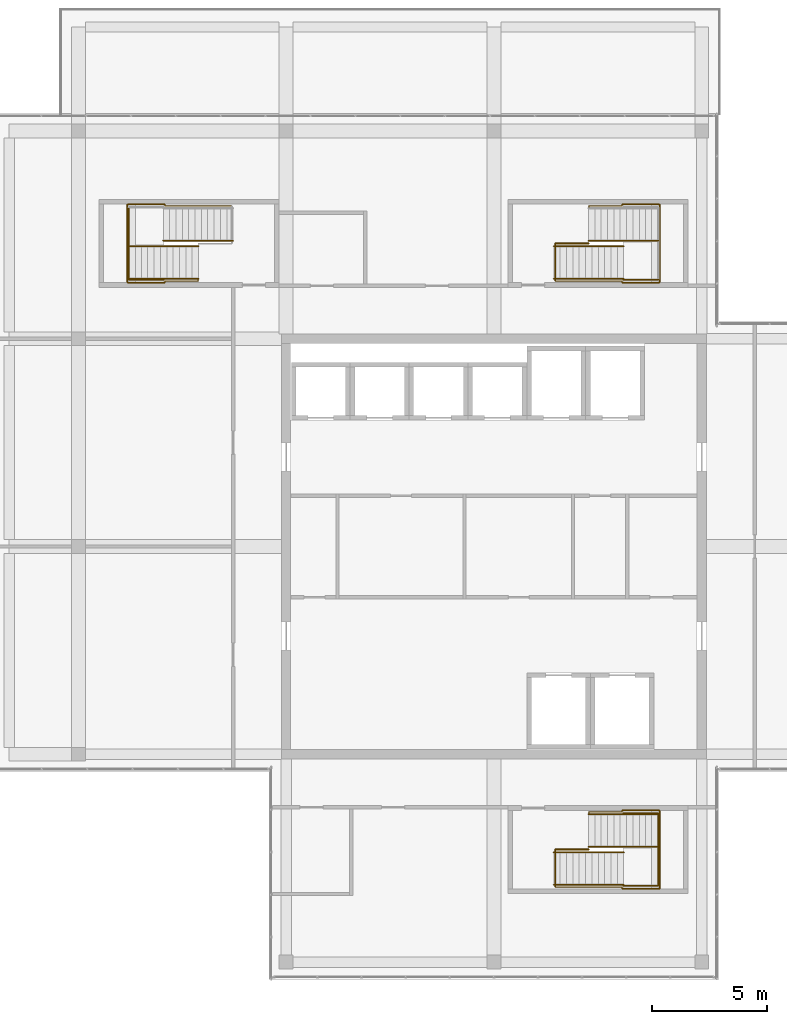
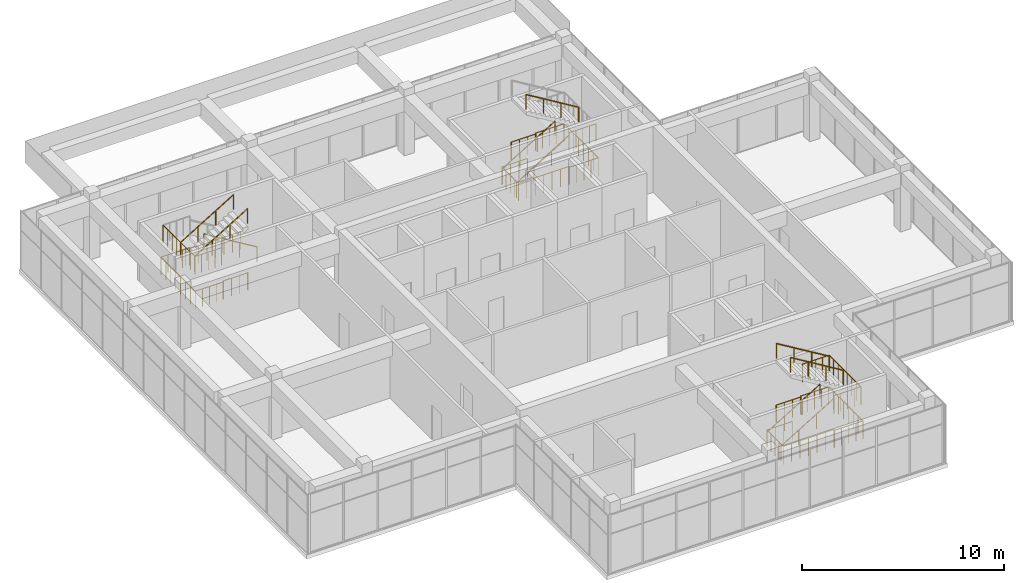
# One storey, part 34 of 35: 21 railings.
"""IFC4 building model written with IfcOpenShell, lengths in metres."""

from ifc_helpers import new_model, si_unit, direction, frame, origin, origin_2d, place, context, subcontext, project, spatial, circle, extrude, material, type_object, element, save


model = new_model("IFC4")

# Units and contexts
model_context = context("Model", 3, precision=1e-05, world=origin(), true_north=direction((0.0, 1.0)))
body_context = subcontext(model_context, "Body", "Model", "MODEL_VIEW")
ifc_project = project(units=[si_unit("LENGTHUNIT", "METRE"), si_unit("AREAUNIT", "SQUARE_METRE"), si_unit("VOLUMEUNIT", "CUBIC_METRE"), si_unit("PLANEANGLEUNIT", "RADIAN"), si_unit("MASSUNIT", "GRAM", prefix="KILO")], contexts=[model_context])

# Site, building, storey
site_placement = place(None, origin())
site = spatial("IfcSite", under=ifc_project, at=site_placement, CompositionType="ELEMENT")
building_placement = place(site_placement, origin())
building = spatial("IfcBuilding", under=site, at=building_placement, Name="Tuart Plaza Theatre", CompositionType="ELEMENT")
storey_placement = place(building_placement, frame((0.0, 0.0, 49.5)))
storey = spatial("IfcBuildingStorey", under=building, at=storey_placement, Name="L12", CompositionType="ELEMENT", Elevation=49.5)

# Railings
ifc_material_1 = material(Name="Steel Grade C350L0", Category="steel")
railing_type_1 = type_object("IfcRailingType", Name="RAILING Guard 1100", PredefinedType="GUARDRAIL", material=ifc_material_1)
railing_1_placement = place(storey_placement, frame((134.655029296875, 60.875, 0.0)))
element("IfcRailing", 1, at=railing_1_placement, inside=storey, type_object=railing_type_1, Name="GR254", PredefinedType="GUARDRAIL", context=body_context, shape_type="SweptSolid", body=[
    extrude(circle(Radius=0.02490234375, at=origin_2d()), frame((0.0, 0.0, 1.0751953125), z_axis=(1.0, 0.0, 0.0), x_axis=(0.0, 1.0, 0.0)), (0.0, 0.0, 1.0), 1.455078125),
    extrude(circle(Radius=0.02001953125, at=origin_2d()), origin(), (0.0, 0.0, 1.0), 1.050048828125),
    extrude(circle(Radius=0.02001953125, at=origin_2d()), frame((0.485107421875, 0.0, 0.0)), (0.0, 0.0, 1.0), 1.050048828125),
    extrude(circle(Radius=0.02001953125, at=origin_2d()), frame((0.969970703125, 0.0, 0.0)), (0.0, 0.0, 1.0), 1.050048828125),
    extrude(circle(Radius=0.02001953125, at=origin_2d()), frame((1.455078125, 0.0, 0.0)), (0.0, 0.0, 1.0), 1.050048828125),
])
railing_2_placement = place(storey_placement, frame((136.114990234375, 62.455078125, 0.0)))
element("IfcRailing", 2, at=railing_2_placement, inside=storey, type_object=railing_type_1, Name="GR255", PredefinedType="GUARDRAIL", context=body_context, shape_type="SweptSolid", body=[
    extrude(circle(Radius=0.02490234375, at=origin_2d()), frame((0.0, 0.0, 1.0751953125), z_axis=(0.0, 1.0, 0.0), x_axis=(-1.0, 0.0, 0.0)), (0.0, 0.0, 1.0), 0.044921875),
    extrude(circle(Radius=0.02490234375, at=origin_2d()), frame((0.0, 0.044921875, 1.0751953125), z_axis=(1.0, 0.0, 0.0), x_axis=(0.0, 1.0, 0.0)), (0.0, 0.0, 1.0), 1.43505859375),
    extrude(circle(Radius=0.02490234375, at=origin_2d()), frame((1.43505859375, 0.044921875, 1.0751953125), z_axis=(0.0, 1.0, 0.0), x_axis=(-1.0, 0.0, 0.0)), (0.0, 0.0, 1.0), 0.074951171875),
    extrude(circle(Radius=0.02490234375, at=origin_2d()), frame((1.43505859375, 0.119873046875, 1.0751953125), z_axis=(1.0, 0.0, 0.0), x_axis=(0.0, 1.0, 0.0)), (0.0, 0.0, 1.0), 1.6298828125),
    extrude(circle(Radius=0.02490234375, at=origin_2d()), frame((3.06494140625, 0.119873046875, 1.0751953125), z_axis=(0.0, -1.0, 0.0), x_axis=(1.0, 0.0, 0.0)), (0.0, 0.0, 1.0), 3.39990234375),
    extrude(circle(Radius=0.02490234375, at=origin_2d()), frame((3.06494140625, -3.280029296875, 1.0751953125), z_axis=(-1.0, 0.0, 0.0), x_axis=(0.0, -1.0, 0.0)), (0.0, 0.0, 1.0), 1.6298828125),
    extrude(circle(Radius=0.02490234375, at=origin_2d()), frame((1.43505859375, -3.280029296875, 1.0751953125), z_axis=(0.0, 1.0, 0.0), x_axis=(-1.0, 0.0, 0.0)), (0.0, 0.0, 1.0), 0.074951171875),
    extrude(circle(Radius=0.02490234375, at=origin_2d()), frame((1.43505859375, -3.205078125, 1.0751953125), z_axis=(-1.0, 0.0, 0.0), x_axis=(0.0, -1.0, 0.0)), (0.0, 0.0, 1.0), 2.89501953125),
    extrude(circle(Radius=0.02490234375, at=origin_2d()), frame((-1.4599609375, -3.205078125, 1.0751953125), z_axis=(0.0, 1.0, 0.0), x_axis=(-1.0, 0.0, 0.0)), (0.0, 0.0, 1.0), 1.625),
    extrude(circle(Radius=0.02001953125, at=origin_2d()), origin(), (0.0, 0.0, 1.0), 1.050048828125),
    extrude(circle(Radius=0.02001953125, at=origin_2d()), frame((0.0, 0.044921875, 0.0)), (0.0, 0.0, 1.0), 1.050048828125),
    extrude(circle(Radius=0.02001953125, at=origin_2d()), frame((0.478271484375, 0.044921875, 0.0)), (0.0, 0.0, 1.0), 1.050048828125),
    extrude(circle(Radius=0.02001953125, at=origin_2d()), frame((0.956787109375, 0.044921875, 0.0)), (0.0, 0.0, 1.0), 1.050048828125),
    extrude(circle(Radius=0.02001953125, at=origin_2d()), frame((1.43505859375, 0.044921875, 0.0)), (0.0, 0.0, 1.0), 1.050048828125),
    extrude(circle(Radius=0.02001953125, at=origin_2d()), frame((1.43505859375, 0.119873046875, 0.0)), (0.0, 0.0, 1.0), 1.050048828125),
    extrude(circle(Radius=0.02001953125, at=origin_2d()), frame((1.842529296875, 0.119873046875, 0.0)), (0.0, 0.0, 1.0), 1.050048828125),
    extrude(circle(Radius=0.02001953125, at=origin_2d()), frame((2.25, 0.119873046875, 0.0)), (0.0, 0.0, 1.0), 1.050048828125),
    extrude(circle(Radius=0.02001953125, at=origin_2d()), frame((2.657470703125, 0.119873046875, 0.0)), (0.0, 0.0, 1.0), 1.050048828125),
    extrude(circle(Radius=0.02001953125, at=origin_2d()), frame((3.06494140625, 0.119873046875, 0.0)), (0.0, 0.0, 1.0), 1.050048828125),
    extrude(circle(Radius=0.02001953125, at=origin_2d()), frame((3.06494140625, -0.36572265625, 0.0)), (0.0, 0.0, 1.0), 1.050048828125),
    extrude(circle(Radius=0.02001953125, at=origin_2d()), frame((3.06494140625, -0.8515625, 0.0)), (0.0, 0.0, 1.0), 1.050048828125),
    extrude(circle(Radius=0.02001953125, at=origin_2d()), frame((3.06494140625, -1.337158203125, 0.0)), (0.0, 0.0, 1.0), 1.050048828125),
    extrude(circle(Radius=0.02001953125, at=origin_2d()), frame((3.06494140625, -1.822998046875, 0.0)), (0.0, 0.0, 1.0), 1.050048828125),
    extrude(circle(Radius=0.02001953125, at=origin_2d()), frame((3.06494140625, -2.30859375, 0.0)), (0.0, 0.0, 1.0), 1.050048828125),
    extrude(circle(Radius=0.02001953125, at=origin_2d()), frame((3.06494140625, -2.79443359375, 0.0)), (0.0, 0.0, 1.0), 1.050048828125),
    extrude(circle(Radius=0.02001953125, at=origin_2d()), frame((3.06494140625, -3.280029296875, 0.0)), (0.0, 0.0, 1.0), 1.050048828125),
    extrude(circle(Radius=0.02001953125, at=origin_2d()), frame((2.657470703125, -3.280029296875, 0.0)), (0.0, 0.0, 1.0), 1.050048828125),
    extrude(circle(Radius=0.02001953125, at=origin_2d()), frame((2.25, -3.280029296875, 0.0)), (0.0, 0.0, 1.0), 1.050048828125),
    extrude(circle(Radius=0.02001953125, at=origin_2d()), frame((1.842529296875, -3.280029296875, 0.0)), (0.0, 0.0, 1.0), 1.050048828125),
    extrude(circle(Radius=0.02001953125, at=origin_2d()), frame((1.43505859375, -3.280029296875, 0.0)), (0.0, 0.0, 1.0), 1.050048828125),
    extrude(circle(Radius=0.02001953125, at=origin_2d()), frame((1.43505859375, -3.205078125, 0.0)), (0.0, 0.0, 1.0), 1.050048828125),
    extrude(circle(Radius=0.02001953125, at=origin_2d()), frame((0.95263671875, -3.205078125, 0.0)), (0.0, 0.0, 1.0), 1.050048828125),
    extrude(circle(Radius=0.02001953125, at=origin_2d()), frame((0.469970703125, -3.205078125, 0.0)), (0.0, 0.0, 1.0), 1.050048828125),
    extrude(circle(Radius=0.02001953125, at=origin_2d()), frame((-0.012451171875, -3.205078125, 0.0)), (0.0, 0.0, 1.0), 1.050048828125),
    extrude(circle(Radius=0.02001953125, at=origin_2d()), frame((-0.494873046875, -3.205078125, 0.0)), (0.0, 0.0, 1.0), 1.050048828125),
    extrude(circle(Radius=0.02001953125, at=origin_2d()), frame((-0.9775390625, -3.205078125, 0.0)), (0.0, 0.0, 1.0), 1.050048828125),
    extrude(circle(Radius=0.02001953125, at=origin_2d()), frame((-1.4599609375, -3.205078125, 0.0)), (0.0, 0.0, 1.0), 1.050048828125),
    extrude(circle(Radius=0.02001953125, at=origin_2d()), frame((-1.4599609375, -2.798828125, 0.0)), (0.0, 0.0, 1.0), 1.050048828125),
    extrude(circle(Radius=0.02001953125, at=origin_2d()), frame((-1.4599609375, -2.392578125, 0.0)), (0.0, 0.0, 1.0), 1.050048828125),
    extrude(circle(Radius=0.02001953125, at=origin_2d()), frame((-1.4599609375, -1.986328125, 0.0)), (0.0, 0.0, 1.0), 1.050048828125),
    extrude(circle(Radius=0.02001953125, at=origin_2d()), frame((-1.4599609375, -1.580078125, 0.0)), (0.0, 0.0, 1.0), 1.050048828125),
])
railing_3_placement = place(storey_placement, frame((137.60009765625, 59.300048828125, 2.0)))
element("IfcRailing", 3, at=railing_3_placement, inside=storey, type_object=railing_type_1, Name="GR261", PredefinedType="GUARDRAIL", context=body_context, shape_type="SweptSolid", body=[
    extrude(circle(Radius=0.02490234375, at=origin_2d()), frame((0.0, 0.0, 1.0751953125), z_axis=(1.0, 0.0, 0.0), x_axis=(0.0, 1.0, 0.0)), (0.0, 0.0, 1.0), 1.52978515625),
    extrude(circle(Radius=0.02001953125, at=origin_2d()), origin(), (0.0, 0.0, 1.0), 1.050048828125),
    extrude(circle(Radius=0.02001953125, at=origin_2d()), frame((0.38232421875, 0.0, 0.0)), (0.0, 0.0, 1.0), 1.050048828125),
    extrude(circle(Radius=0.02001953125, at=origin_2d()), frame((0.764892578125, 0.0, 0.0)), (0.0, 0.0, 1.0), 1.050048828125),
    extrude(circle(Radius=0.02001953125, at=origin_2d()), frame((1.1474609375, 0.0, 0.0)), (0.0, 0.0, 1.0), 1.050048828125),
    extrude(circle(Radius=0.02001953125, at=origin_2d()), frame((1.52978515625, 0.0, 0.0)), (0.0, 0.0, 1.0), 1.050048828125),
])
railing_4_placement = place(storey_placement, frame((139.1298828125, 59.300048828125, 2.0)))
element("IfcRailing", 4, at=railing_4_placement, inside=storey, type_object=railing_type_1, Name="GR262", PredefinedType="GUARDRAIL", context=body_context, shape_type="SweptSolid", body=[
    extrude(circle(Radius=0.02490234375, at=origin_2d()), frame((0.0, 0.0, 1.0751953125), z_axis=(0.0, 1.0, 0.0), x_axis=(-1.0, 0.0, 0.0)), (0.0, 0.0, 1.0), 3.14990234375),
    extrude(circle(Radius=0.02001953125, at=origin_2d()), origin(), (0.0, 0.0, 1.0), 1.050048828125),
    extrude(circle(Radius=0.02001953125, at=origin_2d()), frame((0.0, 0.449951171875, 0.0)), (0.0, 0.0, 1.0), 1.050048828125),
    extrude(circle(Radius=0.02001953125, at=origin_2d()), frame((0.0, 0.89990234375, 0.0)), (0.0, 0.0, 1.0), 1.050048828125),
    extrude(circle(Radius=0.02001953125, at=origin_2d()), frame((0.0, 1.349853515625, 0.0)), (0.0, 0.0, 1.0), 1.050048828125),
    extrude(circle(Radius=0.02001953125, at=origin_2d()), frame((0.0, 1.800048828125, 0.0)), (0.0, 0.0, 1.0), 1.050048828125),
    extrude(circle(Radius=0.02001953125, at=origin_2d()), frame((0.0, 2.25, 0.0)), (0.0, 0.0, 1.0), 1.050048828125),
    extrude(circle(Radius=0.02001953125, at=origin_2d()), frame((0.0, 2.699951171875, 0.0)), (0.0, 0.0, 1.0), 1.050048828125),
    extrude(circle(Radius=0.02001953125, at=origin_2d()), frame((0.0, 3.14990234375, 0.0)), (0.0, 0.0, 1.0), 1.050048828125),
])
railing_5_placement = place(storey_placement, frame((139.1298828125, 62.449951171875, 2.0)))
element("IfcRailing", 5, at=railing_5_placement, inside=storey, type_object=railing_type_1, Name="GR263", PredefinedType="GUARDRAIL", context=body_context, shape_type="SweptSolid", body=[
    extrude(circle(Radius=0.02490234375, at=origin_2d()), frame((0.0, 0.0, 1.0751953125), z_axis=(-1.0, 0.0, 0.0), x_axis=(0.0, -1.0, 0.0)), (0.0, 0.0, 1.0), 1.52978515625),
    extrude(circle(Radius=0.02001953125, at=origin_2d()), origin(), (0.0, 0.0, 1.0), 1.050048828125),
    extrude(circle(Radius=0.02001953125, at=origin_2d()), frame((-0.38232421875, 0.0, 0.0)), (0.0, 0.0, 1.0), 1.050048828125),
    extrude(circle(Radius=0.02001953125, at=origin_2d()), frame((-0.764892578125, 0.0, 0.0)), (0.0, 0.0, 1.0), 1.050048828125),
    extrude(circle(Radius=0.02001953125, at=origin_2d()), frame((-1.1474609375, 0.0, 0.0)), (0.0, 0.0, 1.0), 1.050048828125),
    extrude(circle(Radius=0.02001953125, at=origin_2d()), frame((-1.52978515625, 0.0, 0.0)), (0.0, 0.0, 1.0), 1.050048828125),
])
railing_6_placement = place(storey_placement, frame((134.655029296875, 87.125, 0.0)))
element("IfcRailing", 6, at=railing_6_placement, inside=storey, type_object=railing_type_1, Name="GR333", PredefinedType="GUARDRAIL", context=body_context, shape_type="SweptSolid", body=[
    extrude(circle(Radius=0.02490234375, at=origin_2d()), frame((0.0, 0.0, 1.0751953125), z_axis=(1.0, 0.0, 0.0), x_axis=(0.0, 1.0, 0.0)), (0.0, 0.0, 1.0), 1.455078125),
    extrude(circle(Radius=0.02001953125, at=origin_2d()), origin(), (0.0, 0.0, 1.0), 1.050048828125),
    extrude(circle(Radius=0.02001953125, at=origin_2d()), frame((0.485107421875, 0.0, 0.0)), (0.0, 0.0, 1.0), 1.050048828125),
    extrude(circle(Radius=0.02001953125, at=origin_2d()), frame((0.969970703125, 0.0, 0.0)), (0.0, 0.0, 1.0), 1.050048828125),
    extrude(circle(Radius=0.02001953125, at=origin_2d()), frame((1.455078125, 0.0, 0.0)), (0.0, 0.0, 1.0), 1.050048828125),
])
railing_7_placement = place(storey_placement, frame((136.114990234375, 88.705078125, 0.0)))
element("IfcRailing", 7, at=railing_7_placement, inside=storey, type_object=railing_type_1, Name="GR334", PredefinedType="GUARDRAIL", context=body_context, shape_type="SweptSolid", body=[
    extrude(circle(Radius=0.02490234375, at=origin_2d()), frame((0.0, 0.0, 1.0751953125), z_axis=(0.0, 1.0, 0.0), x_axis=(-1.0, 0.0, 0.0)), (0.0, 0.0, 1.0), 0.044921875),
    extrude(circle(Radius=0.02490234375, at=origin_2d()), frame((0.0, 0.044921875, 1.0751953125), z_axis=(1.0, 0.0, 0.0), x_axis=(0.0, 1.0, 0.0)), (0.0, 0.0, 1.0), 1.43505859375),
    extrude(circle(Radius=0.02490234375, at=origin_2d()), frame((1.43505859375, 0.044921875, 1.0751953125), z_axis=(0.0, 1.0, 0.0), x_axis=(-1.0, 0.0, 0.0)), (0.0, 0.0, 1.0), 0.074951171875),
    extrude(circle(Radius=0.02490234375, at=origin_2d()), frame((1.43505859375, 0.119873046875, 1.0751953125), z_axis=(1.0, 0.0, 0.0), x_axis=(0.0, 1.0, 0.0)), (0.0, 0.0, 1.0), 1.6298828125),
    extrude(circle(Radius=0.02490234375, at=origin_2d()), frame((3.06494140625, 0.119873046875, 1.0751953125), z_axis=(0.0, -1.0, 0.0), x_axis=(1.0, 0.0, 0.0)), (0.0, 0.0, 1.0), 3.39990234375),
    extrude(circle(Radius=0.02490234375, at=origin_2d()), frame((3.06494140625, -3.280029296875, 1.0751953125), z_axis=(-1.0, 0.0, 0.0), x_axis=(0.0, -1.0, 0.0)), (0.0, 0.0, 1.0), 1.6298828125),
    extrude(circle(Radius=0.02490234375, at=origin_2d()), frame((1.43505859375, -3.280029296875, 1.0751953125), z_axis=(0.0, 1.0, 0.0), x_axis=(-1.0, 0.0, 0.0)), (0.0, 0.0, 1.0), 0.074951171875),
    extrude(circle(Radius=0.02490234375, at=origin_2d()), frame((1.43505859375, -3.205078125, 1.0751953125), z_axis=(-1.0, 0.0, 0.0), x_axis=(0.0, -1.0, 0.0)), (0.0, 0.0, 1.0), 2.89501953125),
    extrude(circle(Radius=0.02490234375, at=origin_2d()), frame((-1.4599609375, -3.205078125, 1.0751953125), z_axis=(0.0, 1.0, 0.0), x_axis=(-1.0, 0.0, 0.0)), (0.0, 0.0, 1.0), 1.625),
    extrude(circle(Radius=0.02001953125, at=origin_2d()), origin(), (0.0, 0.0, 1.0), 1.050048828125),
    extrude(circle(Radius=0.02001953125, at=origin_2d()), frame((0.0, 0.044921875, 0.0)), (0.0, 0.0, 1.0), 1.050048828125),
    extrude(circle(Radius=0.02001953125, at=origin_2d()), frame((0.478271484375, 0.044921875, 0.0)), (0.0, 0.0, 1.0), 1.050048828125),
    extrude(circle(Radius=0.02001953125, at=origin_2d()), frame((0.956787109375, 0.044921875, 0.0)), (0.0, 0.0, 1.0), 1.050048828125),
    extrude(circle(Radius=0.02001953125, at=origin_2d()), frame((1.43505859375, 0.044921875, 0.0)), (0.0, 0.0, 1.0), 1.050048828125),
    extrude(circle(Radius=0.02001953125, at=origin_2d()), frame((1.43505859375, 0.119873046875, 0.0)), (0.0, 0.0, 1.0), 1.050048828125),
    extrude(circle(Radius=0.02001953125, at=origin_2d()), frame((1.842529296875, 0.119873046875, 0.0)), (0.0, 0.0, 1.0), 1.050048828125),
    extrude(circle(Radius=0.02001953125, at=origin_2d()), frame((2.25, 0.119873046875, 0.0)), (0.0, 0.0, 1.0), 1.050048828125),
    extrude(circle(Radius=0.02001953125, at=origin_2d()), frame((2.657470703125, 0.119873046875, 0.0)), (0.0, 0.0, 1.0), 1.050048828125),
    extrude(circle(Radius=0.02001953125, at=origin_2d()), frame((3.06494140625, 0.119873046875, 0.0)), (0.0, 0.0, 1.0), 1.050048828125),
    extrude(circle(Radius=0.02001953125, at=origin_2d()), frame((3.06494140625, -0.36572265625, 0.0)), (0.0, 0.0, 1.0), 1.050048828125),
    extrude(circle(Radius=0.02001953125, at=origin_2d()), frame((3.06494140625, -0.8515625, 0.0)), (0.0, 0.0, 1.0), 1.050048828125),
    extrude(circle(Radius=0.02001953125, at=origin_2d()), frame((3.06494140625, -1.337158203125, 0.0)), (0.0, 0.0, 1.0), 1.050048828125),
    extrude(circle(Radius=0.02001953125, at=origin_2d()), frame((3.06494140625, -1.822998046875, 0.0)), (0.0, 0.0, 1.0), 1.050048828125),
    extrude(circle(Radius=0.02001953125, at=origin_2d()), frame((3.06494140625, -2.30859375, 0.0)), (0.0, 0.0, 1.0), 1.050048828125),
    extrude(circle(Radius=0.02001953125, at=origin_2d()), frame((3.06494140625, -2.79443359375, 0.0)), (0.0, 0.0, 1.0), 1.050048828125),
    extrude(circle(Radius=0.02001953125, at=origin_2d()), frame((3.06494140625, -3.280029296875, 0.0)), (0.0, 0.0, 1.0), 1.050048828125),
    extrude(circle(Radius=0.02001953125, at=origin_2d()), frame((2.657470703125, -3.280029296875, 0.0)), (0.0, 0.0, 1.0), 1.050048828125),
    extrude(circle(Radius=0.02001953125, at=origin_2d()), frame((2.25, -3.280029296875, 0.0)), (0.0, 0.0, 1.0), 1.050048828125),
    extrude(circle(Radius=0.02001953125, at=origin_2d()), frame((1.842529296875, -3.280029296875, 0.0)), (0.0, 0.0, 1.0), 1.050048828125),
    extrude(circle(Radius=0.02001953125, at=origin_2d()), frame((1.43505859375, -3.280029296875, 0.0)), (0.0, 0.0, 1.0), 1.050048828125),
    extrude(circle(Radius=0.02001953125, at=origin_2d()), frame((1.43505859375, -3.205078125, 0.0)), (0.0, 0.0, 1.0), 1.050048828125),
    extrude(circle(Radius=0.02001953125, at=origin_2d()), frame((0.95263671875, -3.205078125, 0.0)), (0.0, 0.0, 1.0), 1.050048828125),
    extrude(circle(Radius=0.02001953125, at=origin_2d()), frame((0.469970703125, -3.205078125, 0.0)), (0.0, 0.0, 1.0), 1.050048828125),
    extrude(circle(Radius=0.02001953125, at=origin_2d()), frame((-0.012451171875, -3.205078125, 0.0)), (0.0, 0.0, 1.0), 1.050048828125),
    extrude(circle(Radius=0.02001953125, at=origin_2d()), frame((-0.494873046875, -3.205078125, 0.0)), (0.0, 0.0, 1.0), 1.050048828125),
    extrude(circle(Radius=0.02001953125, at=origin_2d()), frame((-0.9775390625, -3.205078125, 0.0)), (0.0, 0.0, 1.0), 1.050048828125),
    extrude(circle(Radius=0.02001953125, at=origin_2d()), frame((-1.4599609375, -3.205078125, 0.0)), (0.0, 0.0, 1.0), 1.050048828125),
    extrude(circle(Radius=0.02001953125, at=origin_2d()), frame((-1.4599609375, -2.798828125, 0.0)), (0.0, 0.0, 1.0), 1.050048828125),
    extrude(circle(Radius=0.02001953125, at=origin_2d()), frame((-1.4599609375, -2.392578125, 0.0)), (0.0, 0.0, 1.0), 1.050048828125),
    extrude(circle(Radius=0.02001953125, at=origin_2d()), frame((-1.4599609375, -1.986328125, 0.0)), (0.0, 0.0, 1.0), 1.050048828125),
    extrude(circle(Radius=0.02001953125, at=origin_2d()), frame((-1.4599609375, -1.580078125, 0.0)), (0.0, 0.0, 1.0), 1.050048828125),
])
railing_8_placement = place(storey_placement, frame((137.60009765625, 85.550048828125, 2.0)))
element("IfcRailing", 8, at=railing_8_placement, inside=storey, type_object=railing_type_1, Name="GR340", PredefinedType="GUARDRAIL", context=body_context, shape_type="SweptSolid", body=[
    extrude(circle(Radius=0.02490234375, at=origin_2d()), frame((0.0, 0.0, 1.0751953125), z_axis=(1.0, 0.0, 0.0), x_axis=(0.0, 1.0, 0.0)), (0.0, 0.0, 1.0), 1.52978515625),
    extrude(circle(Radius=0.02001953125, at=origin_2d()), origin(), (0.0, 0.0, 1.0), 1.050048828125),
    extrude(circle(Radius=0.02001953125, at=origin_2d()), frame((0.38232421875, 0.0, 0.0)), (0.0, 0.0, 1.0), 1.050048828125),
    extrude(circle(Radius=0.02001953125, at=origin_2d()), frame((0.764892578125, 0.0, 0.0)), (0.0, 0.0, 1.0), 1.050048828125),
    extrude(circle(Radius=0.02001953125, at=origin_2d()), frame((1.1474609375, 0.0, 0.0)), (0.0, 0.0, 1.0), 1.050048828125),
    extrude(circle(Radius=0.02001953125, at=origin_2d()), frame((1.52978515625, 0.0, 0.0)), (0.0, 0.0, 1.0), 1.050048828125),
])
railing_9_placement = place(storey_placement, frame((119.18505859375, 85.544921875, 0.0)))
element("IfcRailing", 9, at=railing_9_placement, inside=storey, type_object=railing_type_1, Name="GR413", PredefinedType="GUARDRAIL", context=body_context, shape_type="SweptSolid", body=[
    extrude(circle(Radius=0.02490234375, at=origin_2d()), frame((0.0, 0.0, 1.0751953125), z_axis=(0.0, -1.0, 0.0), x_axis=(1.0, 0.0, 0.0)), (0.0, 0.0, 1.0), 0.044921875),
    extrude(circle(Radius=0.02490234375, at=origin_2d()), frame((0.0, -0.044921875, 1.0751953125), z_axis=(-1.0, 0.0, 0.0), x_axis=(0.0, -1.0, 0.0)), (0.0, 0.0, 1.0), 1.43505859375),
    extrude(circle(Radius=0.02490234375, at=origin_2d()), frame((-1.43505859375, -0.044921875, 1.0751953125), z_axis=(0.0, -1.0, 0.0), x_axis=(1.0, 0.0, 0.0)), (0.0, 0.0, 1.0), 0.074951171875),
    extrude(circle(Radius=0.02490234375, at=origin_2d()), frame((-1.43505859375, -0.119873046875, 1.0751953125), z_axis=(-1.0, 0.0, 0.0), x_axis=(0.0, -1.0, 0.0)), (0.0, 0.0, 1.0), 1.6298828125),
    extrude(circle(Radius=0.02490234375, at=origin_2d()), frame((-3.06494140625, -0.119873046875, 1.0751953125), z_axis=(0.0, 1.0, 0.0), x_axis=(-1.0, 0.0, 0.0)), (0.0, 0.0, 1.0), 3.39990234375),
    extrude(circle(Radius=0.02490234375, at=origin_2d()), frame((-3.06494140625, 3.280029296875, 1.0751953125), z_axis=(1.0, 0.0, 0.0), x_axis=(0.0, 1.0, 0.0)), (0.0, 0.0, 1.0), 1.6298828125),
    extrude(circle(Radius=0.02490234375, at=origin_2d()), frame((-1.43505859375, 3.280029296875, 1.0751953125), z_axis=(0.0, -1.0, 0.0), x_axis=(1.0, 0.0, 0.0)), (0.0, 0.0, 1.0), 0.074951171875),
    extrude(circle(Radius=0.02490234375, at=origin_2d()), frame((-1.43505859375, 3.205078125, 1.0751953125), z_axis=(1.0, 0.0, 0.0), x_axis=(0.0, 1.0, 0.0)), (0.0, 0.0, 1.0), 2.89501953125),
    extrude(circle(Radius=0.02001953125, at=origin_2d()), origin(), (0.0, 0.0, 1.0), 1.050048828125),
    extrude(circle(Radius=0.02001953125, at=origin_2d()), frame((0.0, -0.044921875, 0.0)), (0.0, 0.0, 1.0), 1.050048828125),
    extrude(circle(Radius=0.02001953125, at=origin_2d()), frame((-0.478271484375, -0.044921875, 0.0)), (0.0, 0.0, 1.0), 1.050048828125),
    extrude(circle(Radius=0.02001953125, at=origin_2d()), frame((-0.956787109375, -0.044921875, 0.0)), (0.0, 0.0, 1.0), 1.050048828125),
    extrude(circle(Radius=0.02001953125, at=origin_2d()), frame((-1.43505859375, -0.044921875, 0.0)), (0.0, 0.0, 1.0), 1.050048828125),
    extrude(circle(Radius=0.02001953125, at=origin_2d()), frame((-1.43505859375, -0.119873046875, 0.0)), (0.0, 0.0, 1.0), 1.050048828125),
    extrude(circle(Radius=0.02001953125, at=origin_2d()), frame((-1.842529296875, -0.119873046875, 0.0)), (0.0, 0.0, 1.0), 1.050048828125),
    extrude(circle(Radius=0.02001953125, at=origin_2d()), frame((-2.25, -0.119873046875, 0.0)), (0.0, 0.0, 1.0), 1.050048828125),
    extrude(circle(Radius=0.02001953125, at=origin_2d()), frame((-2.657470703125, -0.119873046875, 0.0)), (0.0, 0.0, 1.0), 1.050048828125),
    extrude(circle(Radius=0.02001953125, at=origin_2d()), frame((-3.06494140625, -0.119873046875, 0.0)), (0.0, 0.0, 1.0), 1.050048828125),
    extrude(circle(Radius=0.02001953125, at=origin_2d()), frame((-3.06494140625, 0.36572265625, 0.0)), (0.0, 0.0, 1.0), 1.050048828125),
    extrude(circle(Radius=0.02001953125, at=origin_2d()), frame((-3.06494140625, 0.8515625, 0.0)), (0.0, 0.0, 1.0), 1.050048828125),
    extrude(circle(Radius=0.02001953125, at=origin_2d()), frame((-3.06494140625, 1.337158203125, 0.0)), (0.0, 0.0, 1.0), 1.050048828125),
    extrude(circle(Radius=0.02001953125, at=origin_2d()), frame((-3.06494140625, 1.822998046875, 0.0)), (0.0, 0.0, 1.0), 1.050048828125),
    extrude(circle(Radius=0.02001953125, at=origin_2d()), frame((-3.06494140625, 2.30859375, 0.0)), (0.0, 0.0, 1.0), 1.050048828125),
    extrude(circle(Radius=0.02001953125, at=origin_2d()), frame((-3.06494140625, 2.79443359375, 0.0)), (0.0, 0.0, 1.0), 1.050048828125),
    extrude(circle(Radius=0.02001953125, at=origin_2d()), frame((-3.06494140625, 3.280029296875, 0.0)), (0.0, 0.0, 1.0), 1.050048828125),
    extrude(circle(Radius=0.02001953125, at=origin_2d()), frame((-2.657470703125, 3.280029296875, 0.0)), (0.0, 0.0, 1.0), 1.050048828125),
    extrude(circle(Radius=0.02001953125, at=origin_2d()), frame((-2.25, 3.280029296875, 0.0)), (0.0, 0.0, 1.0), 1.050048828125),
    extrude(circle(Radius=0.02001953125, at=origin_2d()), frame((-1.842529296875, 3.280029296875, 0.0)), (0.0, 0.0, 1.0), 1.050048828125),
    extrude(circle(Radius=0.02001953125, at=origin_2d()), frame((-1.43505859375, 3.280029296875, 0.0)), (0.0, 0.0, 1.0), 1.050048828125),
    extrude(circle(Radius=0.02001953125, at=origin_2d()), frame((-1.43505859375, 3.205078125, 0.0)), (0.0, 0.0, 1.0), 1.050048828125),
    extrude(circle(Radius=0.02001953125, at=origin_2d()), frame((-0.95263671875, 3.205078125, 0.0)), (0.0, 0.0, 1.0), 1.050048828125),
    extrude(circle(Radius=0.02001953125, at=origin_2d()), frame((-0.469970703125, 3.205078125, 0.0)), (0.0, 0.0, 1.0), 1.050048828125),
    extrude(circle(Radius=0.02001953125, at=origin_2d()), frame((0.012451171875, 3.205078125, 0.0)), (0.0, 0.0, 1.0), 1.050048828125),
    extrude(circle(Radius=0.02001953125, at=origin_2d()), frame((0.494873046875, 3.205078125, 0.0)), (0.0, 0.0, 1.0), 1.050048828125),
    extrude(circle(Radius=0.02001953125, at=origin_2d()), frame((0.9775390625, 3.205078125, 0.0)), (0.0, 0.0, 1.0), 1.050048828125),
    extrude(circle(Radius=0.02001953125, at=origin_2d()), frame((1.4599609375, 3.205078125, 0.0)), (0.0, 0.0, 1.0), 1.050048828125),
])
railing_10_placement = place(storey_placement, frame((116.169921875, 88.699951171875, 2.0)))
element("IfcRailing", 10, at=railing_10_placement, inside=storey, type_object=railing_type_1, Name="GR420", PredefinedType="GUARDRAIL", context=body_context, shape_type="SweptSolid", body=[
    extrude(circle(Radius=0.02490234375, at=origin_2d()), frame((0.0, 0.0, 1.0751953125), z_axis=(0.0, -1.0, 0.0), x_axis=(1.0, 0.0, 0.0)), (0.0, 0.0, 1.0), 3.14990234375),
    extrude(circle(Radius=0.02001953125, at=origin_2d()), origin(), (0.0, 0.0, 1.0), 1.050048828125),
    extrude(circle(Radius=0.02001953125, at=origin_2d()), frame((0.0, -0.449951171875, 0.0)), (0.0, 0.0, 1.0), 1.050048828125),
    extrude(circle(Radius=0.02001953125, at=origin_2d()), frame((0.0, -0.89990234375, 0.0)), (0.0, 0.0, 1.0), 1.050048828125),
    extrude(circle(Radius=0.02001953125, at=origin_2d()), frame((0.0, -1.349853515625, 0.0)), (0.0, 0.0, 1.0), 1.050048828125),
    extrude(circle(Radius=0.02001953125, at=origin_2d()), frame((0.0, -1.800048828125, 0.0)), (0.0, 0.0, 1.0), 1.050048828125),
    extrude(circle(Radius=0.02001953125, at=origin_2d()), frame((0.0, -2.25, 0.0)), (0.0, 0.0, 1.0), 1.050048828125),
    extrude(circle(Radius=0.02001953125, at=origin_2d()), frame((0.0, -2.699951171875, 0.0)), (0.0, 0.0, 1.0), 1.050048828125),
    extrude(circle(Radius=0.02001953125, at=origin_2d()), frame((0.0, -3.14990234375, 0.0)), (0.0, 0.0, 1.0), 1.050048828125),
])
railing_11_placement = place(storey_placement, frame((116.169921875, 85.550048828125, 2.0)))
element("IfcRailing", 11, at=railing_11_placement, inside=storey, type_object=railing_type_1, Name="GR421", PredefinedType="GUARDRAIL", context=body_context, shape_type="SweptSolid", body=[
    extrude(circle(Radius=0.02490234375, at=origin_2d()), frame((0.0, 0.0, 1.0751953125), z_axis=(1.0, 0.0, 0.0), x_axis=(0.0, 1.0, 0.0)), (0.0, 0.0, 1.0), 1.530029296875),
    extrude(circle(Radius=0.02001953125, at=origin_2d()), origin(), (0.0, 0.0, 1.0), 1.050048828125),
    extrude(circle(Radius=0.02001953125, at=origin_2d()), frame((0.382568359375, 0.0, 0.0)), (0.0, 0.0, 1.0), 1.050048828125),
    extrude(circle(Radius=0.02001953125, at=origin_2d()), frame((0.76513671875, 0.0, 0.0)), (0.0, 0.0, 1.0), 1.050048828125),
    extrude(circle(Radius=0.02001953125, at=origin_2d()), frame((1.1474609375, 0.0, 0.0)), (0.0, 0.0, 1.0), 1.050048828125),
    extrude(circle(Radius=0.02001953125, at=origin_2d()), frame((1.530029296875, 0.0, 0.0)), (0.0, 0.0, 1.0), 1.050048828125),
])
ifc_material_2 = material(Name="Steel Grade C350L0", Category="steel")
railing_type_2 = type_object("IfcRailingType", Name="RAILING Handrail 900", PredefinedType="HANDRAIL", material=ifc_material_2)
for number, where, name in (
    (12, (134.594970703125, 60.75, 0.166748046875), "HR163"),
    (13, (134.594970703125, 59.35009765625, 0.166748046875), "HR164"),
):
    element("IfcRailing", number, at=place(storey_placement, frame(where)), inside=storey, type_object=railing_type_2, Name=name, PredefinedType="HANDRAIL", context=body_context, shape_type="SweptSolid", body=[
        extrude(circle(Radius=0.0224609375, at=origin_2d()), frame((0.0, 0.0, 0.87744140625), z_axis=(0.855219153138, 0.0, 0.518266533848), x_axis=(0.0, 1.0, 0.0)), (0.0, 0.0, 1.0), 3.537353515625),
        extrude(circle(Radius=0.01513671875, at=origin_2d()), origin(), (0.0, 0.0, 1.0), 0.85498046875),
        extrude(circle(Radius=0.01513671875, at=origin_2d()), frame((1.00830078125, 0.0, 0.611083984375)), (0.0, 0.0, 1.0), 0.85498046875),
        extrude(circle(Radius=0.01513671875, at=origin_2d()), frame((2.016845703125, 0.0, 1.22216796875)), (0.0, 0.0, 1.0), 0.85498046875),
        extrude(circle(Radius=0.01513671875, at=origin_2d()), frame((3.025146484375, 0.0, 1.833251953125)), (0.0, 0.0, 1.0), 0.85498046875),
    ])
for number, where, name in (
    (14, (139.1201171875, 61.0, 2.166748046875), "HR165"),
    (15, (139.1201171875, 62.39990234375, 2.166748046875), "HR166"),
):
    element("IfcRailing", number, at=place(storey_placement, frame(where)), inside=storey, type_object=railing_type_2, Name=name, PredefinedType="HANDRAIL", context=body_context, shape_type="SweptSolid", body=[
        extrude(circle(Radius=0.0224609375, at=origin_2d()), frame((0.0, 0.0, 0.87744140625), z_axis=(-0.855219153138, 0.0, 0.518266533848), x_axis=(0.0, -1.0, 0.0)), (0.0, 0.0, 1.0), 3.537353515625),
        extrude(circle(Radius=0.01513671875, at=origin_2d()), origin(), (0.0, 0.0, 1.0), 0.85498046875),
        extrude(circle(Radius=0.01513671875, at=origin_2d()), frame((-1.00830078125, 0.0, 0.611083984375)), (0.0, 0.0, 1.0), 0.85498046875),
        extrude(circle(Radius=0.01513671875, at=origin_2d()), frame((-2.016845703125, 0.0, 1.22216796875)), (0.0, 0.0, 1.0), 0.85498046875),
        extrude(circle(Radius=0.01513671875, at=origin_2d()), frame((-3.025146484375, 0.0, 1.833251953125)), (0.0, 0.0, 1.0), 0.85498046875),
    ])
for number, where, name in (
    (16, (134.594970703125, 87.0, 0.166748046875), "HR227"),
    (17, (134.594970703125, 85.60009765625, 0.166748046875), "HR228"),
):
    element("IfcRailing", number, at=place(storey_placement, frame(where)), inside=storey, type_object=railing_type_2, Name=name, PredefinedType="HANDRAIL", context=body_context, shape_type="SweptSolid", body=[
        extrude(circle(Radius=0.0224609375, at=origin_2d()), frame((0.0, 0.0, 0.87744140625), z_axis=(0.855219153138, 0.0, 0.518266533848), x_axis=(0.0, 1.0, 0.0)), (0.0, 0.0, 1.0), 3.537353515625),
        extrude(circle(Radius=0.01513671875, at=origin_2d()), origin(), (0.0, 0.0, 1.0), 0.85498046875),
        extrude(circle(Radius=0.01513671875, at=origin_2d()), frame((1.00830078125, 0.0, 0.611083984375)), (0.0, 0.0, 1.0), 0.85498046875),
        extrude(circle(Radius=0.01513671875, at=origin_2d()), frame((2.016845703125, 0.0, 1.22216796875)), (0.0, 0.0, 1.0), 0.85498046875),
        extrude(circle(Radius=0.01513671875, at=origin_2d()), frame((3.025146484375, 0.0, 1.833251953125)), (0.0, 0.0, 1.0), 0.85498046875),
    ])
for number, where, name in (
    (18, (139.1201171875, 87.25, 2.166748046875), "HR229"),
    (19, (120.705078125, 87.25, 0.166748046875), "HR291"),
):
    element("IfcRailing", number, at=place(storey_placement, frame(where)), inside=storey, type_object=railing_type_2, Name=name, PredefinedType="HANDRAIL", context=body_context, shape_type="SweptSolid", body=[
        extrude(circle(Radius=0.0224609375, at=origin_2d()), frame((0.0, 0.0, 0.87744140625), z_axis=(-0.855219153138, 0.0, 0.518266533848), x_axis=(0.0, -1.0, 0.0)), (0.0, 0.0, 1.0), 3.537353515625),
        extrude(circle(Radius=0.01513671875, at=origin_2d()), origin(), (0.0, 0.0, 1.0), 0.85498046875),
        extrude(circle(Radius=0.01513671875, at=origin_2d()), frame((-1.00830078125, 0.0, 0.611083984375)), (0.0, 0.0, 1.0), 0.85498046875),
        extrude(circle(Radius=0.01513671875, at=origin_2d()), frame((-2.016845703125, 0.0, 1.22216796875)), (0.0, 0.0, 1.0), 0.85498046875),
        extrude(circle(Radius=0.01513671875, at=origin_2d()), frame((-3.025146484375, 0.0, 1.833251953125)), (0.0, 0.0, 1.0), 0.85498046875),
    ])
for number, where, name in (
    (20, (116.179931640625, 87.0, 2.166748046875), "HR293"),
    (21, (116.179931640625, 85.60009765625, 2.166748046875), "HR294"),
):
    element("IfcRailing", number, at=place(storey_placement, frame(where)), inside=storey, type_object=railing_type_2, Name=name, PredefinedType="HANDRAIL", context=body_context, shape_type="SweptSolid", body=[
        extrude(circle(Radius=0.0224609375, at=origin_2d()), frame((0.0, 0.0, 0.87744140625), z_axis=(0.855219153138, 0.0, 0.518266533848), x_axis=(0.0, 1.0, 0.0)), (0.0, 0.0, 1.0), 3.537353515625),
        extrude(circle(Radius=0.01513671875, at=origin_2d()), origin(), (0.0, 0.0, 1.0), 0.85498046875),
        extrude(circle(Radius=0.01513671875, at=origin_2d()), frame((1.00830078125, 0.0, 0.611083984375)), (0.0, 0.0, 1.0), 0.85498046875),
        extrude(circle(Radius=0.01513671875, at=origin_2d()), frame((2.016845703125, 0.0, 1.22216796875)), (0.0, 0.0, 1.0), 0.85498046875),
        extrude(circle(Radius=0.01513671875, at=origin_2d()), frame((3.025146484375, 0.0, 1.833251953125)), (0.0, 0.0, 1.0), 0.85498046875),
    ])

save(model, "model.ifc")
